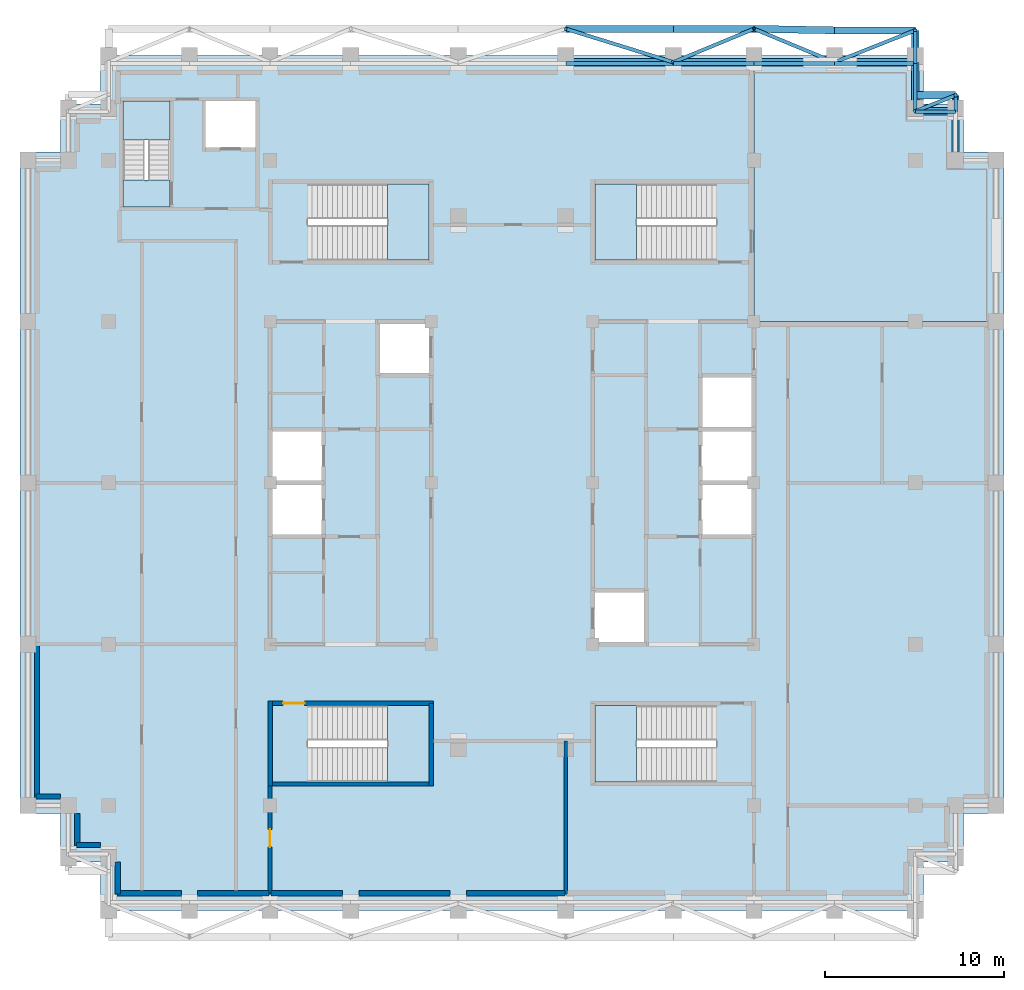
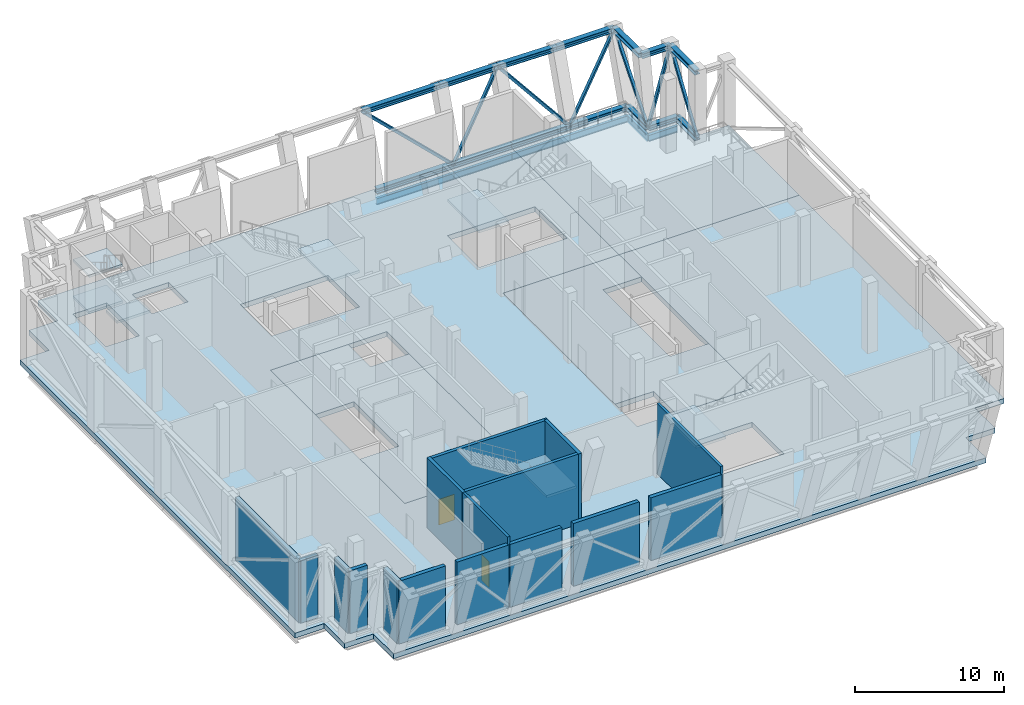
# One storey, part 3 of 9: 21 members, 16 walls, 11 slabs, 6 beams, 2 doors, 2 openings, 5 elements without a shape of their own.
"""IFC4 building model written with IfcOpenShell, lengths in metres."""

import ifcopenshell
import ifcopenshell.guid

model = None  # the IFC model being written
_history = None  # IfcOwnerHistory: only IFC2X3 demands one
_inside = {}  # id of a spatial element -> (the spatial element, [elements in it])
_under = {}  # id of a project, library or spatial element -> (it, [spatial elements below it])
_declared = {}  # id of a project -> (the project, [libraries it declares])
_typed = {}  # id of a type object -> (the type object, [elements of that type])
_made_of = {}  # id of a material, layer set ... -> (it, [elements and type objects made of it])


def new_model(schema):
    """Start an empty IFC model of exactly this schema.

    Asked for "IFC4X3", IfcOpenShell would pick the latest addendum, in which some entities
    have other attributes; the version numbers below select the first issue.
    IFC2X3 requires an IfcOwnerHistory on every rooted entity: one is made here for all.
    """
    global model, _history
    if schema == "IFC4X3":
        model = ifcopenshell.file(schema_version=(4, 3, 0, 0))
    else:
        model = ifcopenshell.file(schema=schema)
    _inside.clear()
    _under.clear()
    _declared.clear()
    _typed.clear()
    _made_of.clear()
    _history = None
    if model.schema == "IFC2X3":
        org = make("IfcOrganization", Name="unknown")
        user = make(
            "IfcPersonAndOrganization",
            ThePerson=make("IfcPerson", FamilyName="unknown"),
            TheOrganization=org,
        )
        app = make(
            "IfcApplication",
            ApplicationDeveloper=org,
            Version="unknown",
            ApplicationFullName="unknown",
            ApplicationIdentifier="unknown",
        )
        _history = make(
            "IfcOwnerHistory",
            OwningUser=user,
            OwningApplication=app,
            ChangeAction="ADDED",
            CreationDate=0,
        )
    return model


def make(cls, **values):
    """One entity of the class cls with the attributes given. An attribute that is None is left unset."""
    return model.create_entity(
        cls, **{name: value for name, value in values.items() if value is not None}
    )


def rooted(cls, **values):
    """An entity with a GlobalId (a new one), such as an element, a storey or a relation."""
    return make(cls, GlobalId=ifcopenshell.guid.new(), OwnerHistory=_history, **values)


def si_unit(unit_type, name, prefix=None):
    """IfcSIUnit, for example si_unit("LENGTHUNIT", "METRE", prefix="MILLI")."""
    return make("IfcSIUnit", UnitType=unit_type, Prefix=prefix, Name=name)


def assignment(units):
    """IfcUnitAssignment: the units of a project."""
    return None if units is None else make("IfcUnitAssignment", Units=units)


def point(xyz):
    """IfcCartesianPoint."""
    return None if xyz is None else make("IfcCartesianPoint", Coordinates=xyz)


def direction(xyz):
    """IfcDirection."""
    return None if xyz is None else make("IfcDirection", DirectionRatios=xyz)


def frame(location, z_axis=None, x_axis=None):
    """IfcAxis2Placement3D, a coordinate frame: its origin and axes. An axis left out is left unset."""
    return make(
        "IfcAxis2Placement3D",
        Location=point(location),
        Axis=direction(z_axis),
        RefDirection=direction(x_axis),
    )


def frame_2d(location, x_axis=None):
    """IfcAxis2Placement2D, a coordinate frame in the plane: its origin and x axis."""
    return make(
        "IfcAxis2Placement2D", Location=point(location), RefDirection=direction(x_axis)
    )


def origin():
    """The frame at (0, 0, 0) with its axes left unset."""
    return frame((0.0, 0.0, 0.0))


def origin_2d():
    """The frame at (0, 0) in the plane with its x axis left unset."""
    return frame_2d((0.0, 0.0))


def place(relative_to, where):
    """IfcLocalPlacement: puts the frame where relative to a parent placement (None: the world)."""
    return make(
        "IfcLocalPlacement", PlacementRelTo=relative_to, RelativePlacement=where
    )


def context(
    kind, dimensions, precision=None, world=None, true_north=None, identifier=None
):
    """IfcGeometricRepresentationContext, for example the 3D "Model" context."""
    return make(
        "IfcGeometricRepresentationContext",
        ContextIdentifier=identifier,
        ContextType=kind,
        CoordinateSpaceDimension=dimensions,
        Precision=precision,
        WorldCoordinateSystem=world,
        TrueNorth=true_north,
    )


def subcontext(parent, identifier, kind, view, scale=None):
    """IfcGeometricRepresentationSubContext, for example "Body" below "Model"."""
    return make(
        "IfcGeometricRepresentationSubContext",
        ContextIdentifier=identifier,
        ContextType=kind,
        ParentContext=parent,
        TargetScale=scale,
        TargetView=view,
    )


def project(units=None, contexts=None):
    """IfcProject with its units and contexts."""
    return rooted(
        "IfcProject",
        Name="project",
        RepresentationContexts=contexts,
        UnitsInContext=assignment(units),
    )


def spatial(cls, under=None, at=None, **own):
    """A site, building, storey or space (cls), placed at a placement, below another one or the project."""
    s = rooted(cls, ObjectPlacement=at, **own)
    if under is not None:
        _under.setdefault(under.id(), (under, []))[1].append(s)
    return s


def polyline(points):
    """IfcPolyline through the points."""
    return make("IfcPolyline", Points=[point(p) for p in points])


def profile(cls, at=None, kind="AREA", **sizes):
    """A parametric profile (cls). Its sizes go by their IFC names, for example OverallWidth=200.0."""
    return make(cls, ProfileType=kind, Position=at, **sizes)


def rectangle(**sizes):
    """IfcRectangleProfileDef."""
    return profile("IfcRectangleProfileDef", **sizes)


def hollow_rectangle(**sizes):
    """IfcRectangleHollowProfileDef."""
    return profile("IfcRectangleHollowProfileDef", **sizes)


def i_section(**sizes):
    """IfcIShapeProfileDef."""
    return profile("IfcIShapeProfileDef", **sizes)


def outline(outer, holes=None, kind="AREA"):
    """IfcArbitraryClosedProfileDef: a profile drawn as a closed curve; with holes, ...WithVoids."""
    if holes is None:
        return make("IfcArbitraryClosedProfileDef", ProfileType=kind, OuterCurve=outer)
    return make(
        "IfcArbitraryProfileDefWithVoids",
        ProfileType=kind,
        OuterCurve=outer,
        InnerCurves=holes,
    )


def extrude(swept, where, along, depth):
    """IfcExtrudedAreaSolid: the profile swept, set in the frame where, extruded along a direction by depth."""
    return make(
        "IfcExtrudedAreaSolid",
        SweptArea=swept,
        Position=where,
        ExtrudedDirection=direction(along),
        Depth=depth,
    )


def shape(context_of_items, identifier, shape_type, items):
    """IfcShapeRepresentation: the items that make up one representation, for example the "Body"."""
    return make(
        "IfcShapeRepresentation",
        ContextOfItems=context_of_items,
        RepresentationIdentifier=identifier,
        RepresentationType=shape_type,
        Items=items,
    )


def material(Name=None, Category=None):
    """IfcMaterial."""
    return make("IfcMaterial", Name=Name, Category=Category)


def layer(
    of_material, thickness, ventilated=None, Name=None, Category=None, Priority=None
):
    """IfcMaterialLayer: one layer of a wall or slab, of a material (None: an air gap)."""
    return make(
        "IfcMaterialLayer",
        Material=of_material,
        LayerThickness=thickness,
        IsVentilated=ventilated,
        Name=Name,
        Category=Category,
        Priority=Priority,
    )


def layer_set(layers, Name=None):
    """IfcMaterialLayerSet."""
    return make("IfcMaterialLayerSet", MaterialLayers=layers, LayerSetName=Name)


def material_profile(
    of_material, cross_section, Name=None, Category=None, Priority=None
):
    """IfcMaterialProfile: a cross section and its material."""
    return make(
        "IfcMaterialProfile",
        Name=Name,
        Material=of_material,
        Profile=cross_section,
        Priority=Priority,
        Category=Category,
    )


def profile_set(profiles, Name=None, composite=None):
    """IfcMaterialProfileSet."""
    return make(
        "IfcMaterialProfileSet",
        Name=Name,
        MaterialProfiles=profiles,
        CompositeProfile=composite,
    )


def made_of(thing, what):
    """Note that an element or type object is made of a material, layer set ...; save() writes the relation."""
    if what is not None:
        _made_of.setdefault(what.id(), (what, []))[1].append(thing)
    return thing


def type_object(cls, material=None, **own):
    """A type object (cls), such as IfcWallType, which elements share."""
    return made_of(rooted(cls, **own), material)


def element(
    cls,
    number,
    at=None,
    inside=None,
    cuts=None,
    type_object=None,
    material=None,
    context=None,
    identifier="Body",
    shape_type=None,
    held_by="IfcProductDefinitionShape",
    body=None,
    shapes=None,
    **own,
):
    """One element of the class cls, such as IfcWall. Its Tag is "e" and its number.

    at: its placement. inside: the storey or other place that contains it. cuts: it is an
    opening in that element (IfcRelVoidsElement). A single representation is given by context,
    identifier, shape_type and body (its items); several are given by shapes. held_by: the class
    of the entity that holds the representations. save() writes the other relations.
    """
    e = rooted(cls, Tag="e%d" % number, ObjectPlacement=at, **own)
    if body is not None:
        shapes = [shape(context, identifier, shape_type, body)]
    if shapes is not None:
        e.Representation = make(held_by, Representations=shapes)
    if inside is not None:
        _inside.setdefault(inside.id(), (inside, []))[1].append(e)
    if cuts is not None:
        rooted(
            "IfcRelVoidsElement", RelatingBuildingElement=cuts, RelatedOpeningElement=e
        )
    if type_object is not None:
        _typed.setdefault(type_object.id(), (type_object, []))[1].append(e)
    return made_of(e, material)


def fill(opening, filler):
    """IfcRelFillsElement: the door or window that sits in an opening."""
    return rooted(
        "IfcRelFillsElement",
        RelatingOpeningElement=opening,
        RelatedBuildingElement=filler,
    )


def aggregate(whole, parts):
    """IfcRelAggregates: a whole, such as a stair, and the parts it consists of."""
    return rooted("IfcRelAggregates", RelatingObject=whole, RelatedObjects=parts)


def save(model, path):
    """Write the relations noted so far, then the file.

    IfcRelAggregates (storeys below a building ...), IfcRelContainedInSpatialStructure (elements
    in a storey), IfcRelDefinesByType, IfcRelAssociatesMaterial and IfcRelDeclares: one each for
    every whole, place, type object, material and project.
    """
    for whole, parts in _under.values():
        aggregate(whole, parts)
    for where, things in _inside.values():
        rooted(
            "IfcRelContainedInSpatialStructure",
            RelatedElements=things,
            RelatingStructure=where,
        )
    for kind, things in _typed.values():
        rooted("IfcRelDefinesByType", RelatedObjects=things, RelatingType=kind)
    for what, things in _made_of.values():
        rooted("IfcRelAssociatesMaterial", RelatedObjects=things, RelatingMaterial=what)
    for by, libraries in _declared.values():
        rooted("IfcRelDeclares", RelatingContext=by, RelatedDefinitions=libraries)
    model.write(path)


model = new_model("IFC4")

# Units and contexts
model_context = context("Model", 3, precision=1e-05, world=origin(), true_north=direction((0.0, 1.0)))
body_context = subcontext(model_context, "Body", "Model", "MODEL_VIEW")
ifc_project = project(units=[si_unit("LENGTHUNIT", "METRE"), si_unit("AREAUNIT", "SQUARE_METRE"), si_unit("VOLUMEUNIT", "CUBIC_METRE"), si_unit("PLANEANGLEUNIT", "RADIAN"), si_unit("MASSUNIT", "GRAM", prefix="KILO")], contexts=[model_context])

# Site, building, storey
site_placement = place(None, origin())
site = spatial("IfcSite", under=ifc_project, at=site_placement, CompositionType="ELEMENT")
building_placement = place(site_placement, origin())
building = spatial("IfcBuilding", under=site, at=building_placement, Name="Corbelhall Arena Tower", CompositionType="ELEMENT")
storey_placement = place(building_placement, frame((0.0, 0.0, 320.0)))
storey = spatial("IfcBuildingStorey", under=building, at=storey_placement, Name="L70", CompositionType="ELEMENT", Elevation=320.0)

# Members
ifc_material_1 = material(Name="Steel ASTM A992 Gr50", Category="steel")
ifc_material_profile_1 = material_profile(ifc_material_1, i_section(OverallWidth=0.398681640625, OverallDepth=0.393798828125, WebThickness=0.022705078125, FlangeThickness=0.03662109375, at=origin_2d()))
ifc_profile_set_1 = profile_set([ifc_material_profile_1], Name="Steel ASTM A992 Gr50")
member_type_1 = type_object("IfcMemberType", Name="ST-CHORD-W14x193", PredefinedType="CHORD", material=ifc_profile_set_1)
for number, where, z_axis, x_axis, name in (
    (1, (3.0, 23.468505859375, 0.19677734375), (1.0, 0.0, 0.0), (0.0, 1.0, 0.0), "Truss chord BC 6"),
    (2, (3.0, 25.331298828125, 5.543212890625), (1.0, 0.0, 0.0), (0.0, 1.0, 0.0), "Truss chord TC 6"),
):
    element("IfcMember", number, at=place(storey_placement, frame(where, z_axis=z_axis, x_axis=x_axis)), inside=storey, type_object=member_type_1, Name=name, PredefinedType="CHORD", context=body_context, shape_type="SweptSolid", body=[
        extrude(i_section(OverallWidth=0.398681640625, OverallDepth=0.393798828125, WebThickness=0.022705078125, FlangeThickness=0.03662109375, at=origin_2d()), origin(), (0.0, 0.0, 1.0), 6.0),
    ])
for number, where, z_axis, x_axis, name in (
    (3, (9.0, 23.468505859375, 0.19677734375), (1.0, 0.0, 0.0), (0.0, 1.0, 0.0), "Truss chord BC 7"),
    (4, (9.0, 25.331298828125, 5.543212890625), (1.0, 0.0, 0.0), (0.0, 1.0, 0.0), "Truss chord TC 7"),
    (5, (13.5, 23.468505859375, 0.19677734375), (0.999999788072, -0.000651041529, 0.0), (0.000651041529, 0.999999788072, 0.0), "Truss chord BC 8"),
):
    element("IfcMember", number, at=place(storey_placement, frame(where, z_axis=z_axis, x_axis=x_axis)), inside=storey, type_object=member_type_1, Name=name, PredefinedType="CHORD", context=body_context, shape_type="SweptSolid", body=[
        extrude(i_section(OverallWidth=0.398681640625, OverallDepth=0.393798828125, WebThickness=0.022705078125, FlangeThickness=0.03662109375, at=origin_2d()), origin(), (0.0, 0.0, 1.0), 4.5),
    ])
member_1_placement = place(storey_placement, frame((13.5, 25.331298828125, 5.543212890625), z_axis=(0.99982790622, -0.018551494354, 0.0), x_axis=(0.018551494354, 0.99982790622, 0.0)))
element("IfcMember", 6, at=member_1_placement, inside=storey, type_object=member_type_1, Name="Truss chord TC 8", PredefinedType="CHORD", context=body_context, shape_type="SweptSolid", body=[
    extrude(i_section(OverallWidth=0.398681640625, OverallDepth=0.393798828125, WebThickness=0.022705078125, FlangeThickness=0.03662109375, at=origin_2d()), origin(), (0.0, 0.0, 1.0), 4.500732421875),
])
for number, where, z_axis, x_axis, name in (
    (7, (18.0, 23.465576171875, 0.19677734375), (1.0, 0.0, 0.0), (0.0, 1.0, 0.0), "Truss chord BC 9"),
    (8, (18.0, 25.247802734375, 5.543212890625), (1.0, 0.0, 0.0), (0.0, 1.0, 0.0), "Truss chord TC 9"),
):
    element("IfcMember", number, at=place(storey_placement, frame(where, z_axis=z_axis, x_axis=x_axis)), inside=storey, type_object=member_type_1, Name=name, PredefinedType="CHORD", context=body_context, shape_type="SweptSolid", body=[
        extrude(i_section(OverallWidth=0.398681640625, OverallDepth=0.393798828125, WebThickness=0.022705078125, FlangeThickness=0.03662109375, at=origin_2d()), origin(), (0.0, 0.0, 1.0), 4.5),
    ])
member_2_placement = place(storey_placement, frame((22.5, 23.465576171875, 0.19677734375), z_axis=(0.0, -1.0, 0.0), x_axis=(1.0, 0.0, 0.0)))
element("IfcMember", 9, at=member_2_placement, inside=storey, type_object=member_type_1, Name="Truss chord BC 10", PredefinedType="CHORD", context=body_context, shape_type="SweptSolid", body=[
    extrude(i_section(OverallWidth=0.398681640625, OverallDepth=0.393798828125, WebThickness=0.022705078125, FlangeThickness=0.03662109375, at=origin_2d()), origin(), (0.0, 0.0, 1.0), 2.732666015625),
])
member_3_placement = place(storey_placement, frame((22.5, 25.247802734375, 5.543212890625), z_axis=(0.0, -1.0, 0.0), x_axis=(1.0, 0.0, 0.0)))
element("IfcMember", 10, at=member_3_placement, inside=storey, type_object=member_type_1, Name="Truss chord TC 10", PredefinedType="CHORD", context=body_context, shape_type="SweptSolid", body=[
    extrude(i_section(OverallWidth=0.398681640625, OverallDepth=0.393798828125, WebThickness=0.022705078125, FlangeThickness=0.03662109375, at=origin_2d()), origin(), (0.0, 0.0, 1.0), 3.6240234375),
])
for number, where, z_axis, x_axis, name in (
    (11, (22.5, 20.73291015625, 0.19677734375), (1.0, 0.0, 0.0), (0.0, 1.0, 0.0), "Truss chord BC 31"),
    (12, (22.5, 21.623779296875, 5.543212890625), (1.0, 0.0, 0.0), (0.0, 1.0, 0.0), "Truss chord TC 31"),
):
    element("IfcMember", number, at=place(storey_placement, frame(where, z_axis=z_axis, x_axis=x_axis)), inside=storey, type_object=member_type_1, Name=name, PredefinedType="CHORD", context=body_context, shape_type="SweptSolid", body=[
        extrude(i_section(OverallWidth=0.398681640625, OverallDepth=0.393798828125, WebThickness=0.022705078125, FlangeThickness=0.03662109375, at=origin_2d()), origin(), (0.0, 0.0, 1.0), 2.25),
    ])
member_4_placement = place(storey_placement, frame((24.75, 20.73291015625, 0.19677734375), z_axis=(0.0, -1.0, 0.0), x_axis=(1.0, 0.0, 0.0)))
element("IfcMember", 13, at=member_4_placement, inside=storey, type_object=member_type_1, Name="Truss chord BC 32", PredefinedType="CHORD", context=body_context, shape_type="SweptSolid", body=[
    extrude(i_section(OverallWidth=0.398681640625, OverallDepth=0.393798828125, WebThickness=0.022705078125, FlangeThickness=0.03662109375, at=origin_2d()), origin(), (0.0, 0.0, 1.0), 2.73291015625),
])
member_5_placement = place(storey_placement, frame((24.75, 21.623779296875, 5.543212890625), z_axis=(0.0, -1.0, 0.0), x_axis=(1.0, 0.0, 0.0)))
element("IfcMember", 14, at=member_5_placement, inside=storey, type_object=member_type_1, Name="Truss chord TC 32", PredefinedType="CHORD", context=body_context, shape_type="SweptSolid", body=[
    extrude(i_section(OverallWidth=0.398681640625, OverallDepth=0.393798828125, WebThickness=0.022705078125, FlangeThickness=0.03662109375, at=origin_2d()), origin(), (0.0, 0.0, 1.0), 3.623779296875),
])

# Beams
ifc_material_profile_2 = material_profile(ifc_material_1, i_section(OverallWidth=0.209228515625, OverallDepth=0.533447265625, WebThickness=0.01025390625, FlangeThickness=0.015625, at=origin_2d()))
ifc_profile_set_2 = profile_set([ifc_material_profile_2], Name="Steel ASTM A992 Gr50")
beam_type = type_object("IfcBeamType", Name="ST-SPANDREL-W21x62", PredefinedType="SPANDREL", material=ifc_profile_set_2)
beam_1_placement = place(storey_placement, frame((3.0, 23.39990234375, -0.6767578125), z_axis=(1.0, 0.0, 0.0), x_axis=(0.0, 1.0, 0.0)))
element("IfcBeam", 15, at=beam_1_placement, inside=storey, type_object=beam_type, Name="Beam SP 6", PredefinedType="SPANDREL", context=body_context, shape_type="SweptSolid", body=[
    extrude(i_section(OverallWidth=0.209228515625, OverallDepth=0.533447265625, WebThickness=0.01025390625, FlangeThickness=0.015625, at=origin_2d()), origin(), (0.0, 0.0, 1.0), 6.0),
])
for number, where, z_axis, x_axis, name in (
    (16, (9.0, 23.39990234375, -0.6767578125), (1.0, 0.0, 0.0), (0.0, 1.0, 0.0), "Beam SP 7"),
    (17, (13.5, 23.39990234375, -0.6767578125), (1.0, 0.0, 0.0), (0.0, 1.0, 0.0), "Beam SP 8"),
    (18, (18.0, 23.39990234375, -0.6767578125), (1.0, 0.0, 0.0), (0.0, 1.0, 0.0), "Beam SP 9"),
):
    element("IfcBeam", number, at=place(storey_placement, frame(where, z_axis=z_axis, x_axis=x_axis)), inside=storey, type_object=beam_type, Name=name, PredefinedType="SPANDREL", context=body_context, shape_type="SweptSolid", body=[
        extrude(i_section(OverallWidth=0.209228515625, OverallDepth=0.533447265625, WebThickness=0.01025390625, FlangeThickness=0.015625, at=origin_2d()), origin(), (0.0, 0.0, 1.0), 4.5),
    ])
beam_2_placement = place(storey_placement, frame((22.5, 23.39990234375, -0.6767578125), z_axis=(0.0, -1.0, 0.0), x_axis=(1.0, 0.0, 0.0)))
element("IfcBeam", 19, at=beam_2_placement, inside=storey, type_object=beam_type, Name="Beam SP 10", PredefinedType="SPANDREL", context=body_context, shape_type="SweptSolid", body=[
    extrude(i_section(OverallWidth=0.209228515625, OverallDepth=0.533447265625, WebThickness=0.01025390625, FlangeThickness=0.015625, at=origin_2d()), origin(), (0.0, 0.0, 1.0), 2.699951171875),
])
beam_3_placement = place(storey_placement, frame((22.5, 20.699951171875, -0.6767578125), z_axis=(1.0, 0.0, 0.0), x_axis=(0.0, 1.0, 0.0)))
element("IfcBeam", 20, at=beam_3_placement, inside=storey, type_object=beam_type, Name="Beam SP 31", PredefinedType="SPANDREL", context=body_context, shape_type="SweptSolid", body=[
    extrude(i_section(OverallWidth=0.209228515625, OverallDepth=0.533447265625, WebThickness=0.01025390625, FlangeThickness=0.015625, at=origin_2d()), origin(), (0.0, 0.0, 1.0), 2.25),
])

# Members
ifc_material_2 = material(Name="Steel ASTM A500 Gr C", Category="steel")
ifc_material_profile_3 = material_profile(ifc_material_2, hollow_rectangle(XDim=0.203125, YDim=0.203125, WallThickness=0.0087890625, at=origin_2d()))
ifc_profile_set_3 = profile_set([ifc_material_profile_3], Name="Steel ASTM A500 Gr C")
member_type_2 = type_object("IfcMemberType", Name="ST-STRUT-HSS8x8x3/8", PredefinedType="STRUT", material=ifc_profile_set_3)
member_6_placement = place(storey_placement, frame((9.0, 23.468505859375, 0.19677734375), z_axis=(-0.72731616343, 0.225806572549, 0.64809149833), x_axis=(-0.296504329853, -0.955031508579, 0.0)))
element("IfcMember", 21, at=member_6_placement, inside=storey, type_object=member_type_2, Name="Truss diagonal 6", PredefinedType="STRUT", context=body_context, shape_type="SweptSolid", body=[
    extrude(hollow_rectangle(XDim=0.203125, YDim=0.203125, WallThickness=0.0087890625, at=origin_2d()), origin(), (0.0, 0.0, 1.0), 8.24951171875),
])
member_7_placement = place(storey_placement, frame((9.0, 23.468505859375, 0.19677734375), z_axis=(0.622219364782, 0.257570190608, 0.73925682885), x_axis=(-0.382478712885, 0.923964303526, 0.0)))
element("IfcMember", 22, at=member_7_placement, inside=storey, type_object=member_type_2, Name="Truss diagonal 7", PredefinedType="STRUT", context=body_context, shape_type="SweptSolid", body=[
    extrude(hollow_rectangle(XDim=0.203125, YDim=0.203125, WallThickness=0.0087890625, at=origin_2d()), origin(), (0.0, 0.0, 1.0), 7.232177734375),
])
member_8_placement = place(storey_placement, frame((18.0, 23.465576171875, 0.19677734375), z_axis=(-0.622154401973, 0.257948347433, 0.739179646745), x_axis=(-0.382992075733, -0.923751627834, 0.0)))
element("IfcMember", 23, at=member_8_placement, inside=storey, type_object=member_type_2, Name="Truss diagonal 8", PredefinedType="STRUT", context=body_context, shape_type="SweptSolid", body=[
    extrude(hollow_rectangle(XDim=0.203125, YDim=0.203125, WallThickness=0.0087890625, at=origin_2d()), origin(), (0.0, 0.0, 1.0), 7.23291015625),
])
member_9_placement = place(storey_placement, frame((18.0, 23.465576171875, 0.19677734375), z_axis=(0.623973499324, 0.247124921065, 0.741340910466), x_axis=(-0.368222879343, 0.929737549596, 0.0)))
element("IfcMember", 24, at=member_9_placement, inside=storey, type_object=member_type_2, Name="Truss diagonal 9", PredefinedType="STRUT", context=body_context, shape_type="SweptSolid", body=[
    extrude(hollow_rectangle(XDim=0.203125, YDim=0.203125, WallThickness=0.0087890625, at=origin_2d()), origin(), (0.0, 0.0, 1.0), 7.2119140625),
])
member_10_placement = place(storey_placement, frame((22.5, 20.73291015625, 0.19677734375), z_axis=(0.0, 0.645191226961, 0.764021125789), x_axis=(-1.0, 0.0, 0.0)))
element("IfcMember", 25, at=member_10_placement, inside=storey, type_object=member_type_2, Name="Truss diagonal 10", PredefinedType="STRUT", context=body_context, shape_type="SweptSolid", body=[
    extrude(hollow_rectangle(XDim=0.203125, YDim=0.203125, WallThickness=0.0087890625, at=origin_2d()), origin(), (0.0, 0.0, 1.0), 6.997802734375),
])
member_11_placement = place(storey_placement, frame((22.5, 20.73291015625, 0.19677734375), z_axis=(0.383396075035, 0.151802547505, 0.911023290711), x_axis=(-0.368135670034, 0.929772084141, 0.0)))
element("IfcMember", 26, at=member_11_placement, inside=storey, type_object=member_type_2, Name="Truss diagonal 31", PredefinedType="STRUT", context=body_context, shape_type="SweptSolid", body=[
    extrude(hollow_rectangle(XDim=0.203125, YDim=0.203125, WallThickness=0.0087890625, at=origin_2d()), origin(), (0.0, 0.0, 1.0), 5.86865234375),
])
member_12_placement = place(storey_placement, frame((24.75, 18.0, 0.19677734375), z_axis=(0.0, 0.561060419569, 0.827774851994), x_axis=(-1.0, 0.0, 0.0)))
element("IfcMember", 27, at=member_12_placement, inside=storey, type_object=member_type_2, Name="Truss diagonal 32", PredefinedType="STRUT", context=body_context, shape_type="SweptSolid", body=[
    extrude(hollow_rectangle(XDim=0.203125, YDim=0.203125, WallThickness=0.0087890625, at=origin_2d()), origin(), (0.0, 0.0, 1.0), 6.458740234375),
])

# Slabs
ifc_material_3 = material(Name="Concrete C40/50", Category="concrete")
ifc_layer_1 = layer(ifc_material_3, 0.300048828125)
ifc_layer_set_1 = layer_set([ifc_layer_1], Name="IN-SL-CORE")
slab_type_1 = type_object("IfcSlabType", Name="IN-SL-CORE", PredefinedType="FLOOR", material=ifc_layer_set_1)
slab_1_placement = place(storey_placement, frame((0.0, 0.0, -0.409912109375)))
element("IfcSlab", 28, at=slab_1_placement, inside=storey, type_object=slab_type_1, Name="Core floor W", PredefinedType="FLOOR", context=body_context, shape_type="SweptSolid", body=[
    extrude(outline(polyline([(-13.5, -3.0), (-13.5, -9.0), (-4.5, -9.0), (-4.5, 6.0), (-7.5, 6.0), (-7.5, 9.0), (-13.5, 9.0), (-13.5, 3.0), (-10.5, 3.0), (-10.5, 0.0), (-10.5, -3.0), (-13.5, -3.0)])), origin(), (0.0, 0.0, 1.0), 0.409912109375),
])
slab_2_placement = place(storey_placement, frame((0.0, 0.0, -0.409912109375)))
element("IfcSlab", 29, at=slab_2_placement, inside=storey, type_object=slab_type_1, Name="Core floor E", PredefinedType="FLOOR", context=body_context, shape_type="SweptSolid", body=[
    extrude(outline(polyline([(10.5, 0.0), (10.5, 3.0), (10.5, 6.0), (13.5, 6.0), (13.5, 9.0), (4.5, 9.0), (4.5, -6.0), (7.5, -6.0), (7.5, -9.0), (13.5, -9.0), (13.5, -3.0), (10.5, -3.0), (10.5, 0.0)])), origin(), (0.0, 0.0, 1.0), 0.409912109375),
])

# Stair, slab
stair_type = type_object("IfcStairType", Name="IN-ST-TOWER", PredefinedType="HALF_TURN_STAIR", material=ifc_material_3)
stair_1_placement = place(storey_placement, origin())
stair_1 = element("IfcStair", 30, at=stair_1_placement, inside=storey, type_object=stair_type, Name="L70 Exit stair ST1", PredefinedType="HALF_TURN_STAIR")
ifc_layer_2 = layer(ifc_material_3, 0.199951171875)
ifc_layer_set_2 = layer_set([ifc_layer_2], Name="IN-SL-LANDING")
slab_type_2 = type_object("IfcSlabType", Name="IN-SL-LANDING", PredefinedType="LANDING", material=ifc_layer_set_2)
slab_3_placement = place(storey_placement, frame((0.0, 0.0, 2.800048828125)))
slab_3 = element("IfcSlab", 31, at=slab_3_placement, type_object=slab_type_2, Name="ST1 landing 1", PredefinedType="LANDING", context=body_context, shape_type="SweptSolid", body=[
    extrude(outline(polyline([(-6.945068359375, 12.425048828125), (-4.625, 12.425048828125), (-4.625, 16.675048828125), (-6.945068359375, 16.675048828125), (-6.945068359375, 12.425048828125)])), origin(), (0.0, 0.0, 1.0), 0.199951171875),
])
aggregate(stair_1, [slab_3])

stair_2_placement = place(storey_placement, origin())
stair_2 = element("IfcStair", 32, at=stair_2_placement, inside=storey, type_object=stair_type, Name="L70 Exit stair ST2", PredefinedType="HALF_TURN_STAIR")
slab_4_placement = place(storey_placement, frame((0.0, 0.0, 2.800048828125)))
slab_4 = element("IfcSlab", 33, at=slab_4_placement, type_object=slab_type_2, Name="ST2 landing 1", PredefinedType="LANDING", context=body_context, shape_type="SweptSolid", body=[
    extrude(outline(polyline([(-6.945068359375, -16.675048828125), (-4.625, -16.675048828125), (-4.625, -12.425048828125), (-6.945068359375, -12.425048828125), (-6.945068359375, -16.675048828125)])), origin(), (0.0, 0.0, 1.0), 0.199951171875),
])
aggregate(stair_2, [slab_4])

stair_3_placement = place(storey_placement, origin())
stair_3 = element("IfcStair", 34, at=stair_3_placement, inside=storey, type_object=stair_type, Name="L70 Exit stair ST3", PredefinedType="HALF_TURN_STAIR")
slab_5_placement = place(storey_placement, frame((0.0, 0.0, 2.800048828125)))
slab_5 = element("IfcSlab", 35, at=slab_5_placement, type_object=slab_type_2, Name="ST3 landing 1", PredefinedType="LANDING", context=body_context, shape_type="SweptSolid", body=[
    extrude(outline(polyline([(6.945068359375, 16.675048828125), (4.625, 16.675048828125), (4.625, 12.425048828125), (6.945068359375, 12.425048828125), (6.945068359375, 16.675048828125)])), origin(), (0.0, 0.0, 1.0), 0.199951171875),
])
aggregate(stair_3, [slab_5])

stair_4_placement = place(storey_placement, origin())
stair_4 = element("IfcStair", 36, at=stair_4_placement, inside=storey, type_object=stair_type, Name="L70 Exit stair ST4", PredefinedType="HALF_TURN_STAIR")
slab_6_placement = place(storey_placement, frame((0.0, 0.0, 2.800048828125)))
slab_6 = element("IfcSlab", 37, at=slab_6_placement, type_object=slab_type_2, Name="ST4 landing 1", PredefinedType="LANDING", context=body_context, shape_type="SweptSolid", body=[
    extrude(outline(polyline([(6.945068359375, -12.425048828125), (4.625, -12.425048828125), (4.625, -16.675048828125), (6.945068359375, -16.675048828125), (6.945068359375, -12.425048828125)])), origin(), (0.0, 0.0, 1.0), 0.199951171875),
])
aggregate(stair_4, [slab_6])

# Stair, slabs
stair_5_placement = place(storey_placement, origin())
stair_5 = element("IfcStair", 38, at=stair_5_placement, inside=storey, type_object=stair_type, Name="L70 Exit stair ST5", PredefinedType="HALF_TURN_STAIR")
slab_7_placement = place(storey_placement, frame((0.0, 0.0, 1.300048828125)))
slab_7 = element("IfcSlab", 39, at=slab_7_placement, type_object=slab_type_2, Name="ST5 landing 1", PredefinedType="LANDING", context=body_context, shape_type="SweptSolid", body=[
    extrude(outline(polyline([(-19.094970703125, 19.139892578125), (-19.094970703125, 21.300048828125), (-21.695068359375, 21.300048828125), (-21.695068359375, 19.139892578125), (-19.094970703125, 19.139892578125)])), origin(), (0.0, 0.0, 1.0), 0.199951171875),
])
slab_8_placement = place(storey_placement, frame((0.0, 0.0, 2.800048828125)))
slab_8 = element("IfcSlab", 40, at=slab_8_placement, type_object=slab_type_2, Name="ST5 landing 2", PredefinedType="LANDING", context=body_context, shape_type="SweptSolid", body=[
    extrude(outline(polyline([(-19.094970703125, 15.39990234375), (-19.094970703125, 16.89990234375), (-21.695068359375, 16.89990234375), (-21.695068359375, 15.39990234375), (-19.094970703125, 15.39990234375)])), origin(), (0.0, 0.0, 1.0), 0.199951171875),
])
slab_9_placement = place(storey_placement, frame((0.0, 0.0, 4.300048828125)))
slab_9 = element("IfcSlab", 41, at=slab_9_placement, type_object=slab_type_2, Name="ST5 landing 3", PredefinedType="LANDING", context=body_context, shape_type="SweptSolid", body=[
    extrude(outline(polyline([(-19.094970703125, 19.139892578125), (-19.094970703125, 21.300048828125), (-21.695068359375, 21.300048828125), (-21.695068359375, 19.139892578125), (-19.094970703125, 19.139892578125)])), origin(), (0.0, 0.0, 1.0), 0.199951171875),
])
aggregate(stair_5, [slab_7, slab_8, slab_9])

# Slabs
ifc_layer_3 = layer(ifc_material_3, 0.409912109375)
ifc_layer_set_3 = layer_set([ifc_layer_3], Name="ST-SLAB-FLOOR-410")
slab_type_3 = type_object("IfcSlabType", Name="ST-SLAB-FLOOR-410", PredefinedType="FLOOR", material=ifc_layer_set_3)
slab_10_placement = place(storey_placement, frame((0.0, 0.0, -0.409912109375)))
element("IfcSlab", 42, at=slab_10_placement, inside=storey, type_object=slab_type_3, Name="Floor slab L70 1", PredefinedType="FLOOR", context=body_context, shape_type="SweptSolid", body=[
    extrude(outline(polyline([(25.199951171875, -18.449951171875), (27.449951171875, -18.449951171875), (27.449951171875, 9.0), (13.5, 9.0), (13.5, 23.85009765625), (-22.949951171875, 23.85009765625), (-22.949951171875, 21.14990234375), (-25.199951171875, 21.14990234375), (-25.199951171875, 18.449951171875), (-27.449951171875, 18.449951171875), (-27.449951171875, -18.449951171875), (-25.199951171875, -18.449951171875), (-25.199951171875, -21.14990234375), (-22.949951171875, -21.14990234375), (-22.949951171875, -23.85009765625), (22.949951171875, -23.85009765625), (22.949951171875, -21.14990234375), (25.199951171875, -21.14990234375), (25.199951171875, -18.449951171875)]), holes=[polyline([(4.501220703125, 8.997314453125), (4.501220703125, -8.997314453125), (13.498779296875, -8.997314453125), (13.498779296875, 8.997314453125), (4.501220703125, 8.997314453125)]), polyline([(-13.5, 9.0), (-13.5, -9.0), (-4.5, -9.0), (-4.5, 9.0), (-13.5, 9.0)]), polyline([(-4.625, 16.675048828125), (-11.422119140625, 16.675048828125), (-11.422119140625, 12.425048828125), (-4.625, 12.425048828125), (-4.625, 16.675048828125)]), polyline([(-4.625, -16.675048828125), (-4.625, -12.425048828125), (-11.422119140625, -12.425048828125), (-11.422119140625, -16.675048828125), (-4.625, -16.675048828125)]), polyline([(11.422119140625, 16.675048828125), (4.625, 16.675048828125), (4.625, 12.425048828125), (11.422119140625, 12.425048828125), (11.422119140625, 16.675048828125)]), polyline([(11.422119140625, -16.675048828125), (11.422119140625, -12.425048828125), (4.625, -12.425048828125), (4.625, -16.675048828125), (11.422119140625, -16.675048828125)]), polyline([(-21.695068359375, 21.300048828125), (-21.695068359375, 16.903076171875), (-19.094970703125, 16.903076171875), (-19.094970703125, 21.300048828125), (-21.695068359375, 21.300048828125)]), polyline([(-14.300048828125, 21.300048828125), (-17.10009765625, 21.300048828125), (-17.10009765625, 18.699951171875), (-14.300048828125, 18.699951171875), (-14.300048828125, 21.300048828125)])]), origin(), (0.0, 0.0, 1.0), 0.409912109375),
])
slab_11_placement = place(storey_placement, frame((0.0, 0.0, -0.409912109375)))
element("IfcSlab", 43, at=slab_11_placement, inside=storey, type_object=slab_type_3, Name="Terrace slab T-L70-NE", PredefinedType="FLOOR", context=body_context, shape_type="SweptSolid", body=[
    extrude(outline(polyline([(13.5, 9.0), (27.449951171875, 9.0), (27.449951171875, 18.449951171875), (25.199951171875, 18.449951171875), (25.199951171875, 21.14990234375), (22.949951171875, 21.14990234375), (22.949951171875, 23.85009765625), (13.5, 23.85009765625), (13.5, 9.0)])), origin(), (0.0, 0.0, 1.0), 0.409912109375),
])

# Walls
ifc_material_4 = material(Name="Precast concrete C40/50 with granite facing", Category="masonry")
ifc_layer_4 = layer(ifc_material_4, 0.300048828125)
ifc_layer_set_4 = layer_set([ifc_layer_4], Name="EV-IW1 Infill panel 300")
wall_type_1 = type_object("IfcWallType", Name="EV-IW1 Infill panel 300", PredefinedType="SOLIDWALL", material=ifc_layer_set_4)
wall_1_placement = place(storey_placement, frame((-26.5, -9.050048828125, 0.0), z_axis=(0.0, 0.0, 1.0), x_axis=(0.0, -1.0, 0.0)))
element("IfcWall", 44, at=wall_1_placement, inside=storey, type_object=wall_type_1, Name="Infill panel IW1", PredefinedType="SOLIDWALL", context=body_context, shape_type="SweptSolid", body=[
    extrude(rectangle(XDim=8.5, YDim=0.300048828125, at=frame_2d((4.25, 0.0))), origin(), (0.0, 0.0, 1.0), 5.139892578125),
])
wall_2_placement = place(storey_placement, frame((-26.550048828125, -17.5, 0.0), z_axis=(0.0, 0.0, 1.0), x_axis=(1.0, 0.0, 0.0)))
element("IfcWall", 45, at=wall_2_placement, inside=storey, type_object=wall_type_1, Name="Infill panel IW1", PredefinedType="SOLIDWALL", context=body_context, shape_type="SweptSolid", body=[
    extrude(rectangle(XDim=1.35009765625, YDim=0.300048828125, at=frame_2d((0.675048828125, 0.0))), origin(), (0.0, 0.0, 1.0), 5.139892578125),
])
wall_3_placement = place(storey_placement, frame((-24.25, -18.449951171875, 0.0), z_axis=(0.0, 0.0, 1.0), x_axis=(0.0, -1.0, 0.0)))
element("IfcWall", 46, at=wall_3_placement, inside=storey, type_object=wall_type_1, Name="Infill panel IW1", PredefinedType="SOLIDWALL", context=body_context, shape_type="SweptSolid", body=[
    extrude(rectangle(XDim=1.800048828125, YDim=0.300048828125, at=frame_2d((0.89990234375, 0.0))), origin(), (0.0, 0.0, 1.0), 5.139892578125),
])
wall_4_placement = place(storey_placement, frame((-24.300048828125, -20.199951171875, 0.0), z_axis=(0.0, 0.0, 1.0), x_axis=(1.0, 0.0, 0.0)))
element("IfcWall", 47, at=wall_4_placement, inside=storey, type_object=wall_type_1, Name="Infill panel IW1", PredefinedType="SOLIDWALL", context=body_context, shape_type="SweptSolid", body=[
    extrude(rectangle(XDim=1.35009765625, YDim=0.300048828125, at=frame_2d((0.675048828125, 0.0))), origin(), (0.0, 0.0, 1.0), 5.139892578125),
])
wall_5_placement = place(storey_placement, frame((-22.0, -21.14990234375, 0.0), z_axis=(0.0, 0.0, 1.0), x_axis=(0.0, -1.0, 0.0)))
element("IfcWall", 48, at=wall_5_placement, inside=storey, type_object=wall_type_1, Name="Infill panel IW1", PredefinedType="SOLIDWALL", context=body_context, shape_type="SweptSolid", body=[
    extrude(rectangle(XDim=1.800048828125, YDim=0.300048828125, at=frame_2d((0.89990234375, 0.0))), origin(), (0.0, 0.0, 1.0), 5.139892578125),
])
wall_6_placement = place(storey_placement, frame((-22.050048828125, -22.89990234375, 0.0), z_axis=(0.0, 0.0, 1.0), x_axis=(1.0, 0.0, 0.0)))
element("IfcWall", 49, at=wall_6_placement, inside=storey, type_object=wall_type_1, Name="Infill panel IW1", PredefinedType="SOLIDWALL", context=body_context, shape_type="SweptSolid", body=[
    extrude(rectangle(XDim=3.60009765625, YDim=0.300048828125, at=frame_2d((1.800048828125, 0.0))), origin(), (0.0, 0.0, 1.0), 5.139892578125),
])
for number, where, z_axis, x_axis, name in (
    (50, (-17.550048828125, -22.89990234375, 0.0), (0.0, 0.0, 1.0), (1.0, 0.0, 0.0), "Infill panel IW1"),
    (51, (-13.449951171875, -22.89990234375, 0.0), (0.0, 0.0, 1.0), (1.0, 0.0, 0.0), "Infill panel IW1"),
):
    element("IfcWall", number, at=place(storey_placement, frame(where, z_axis=z_axis, x_axis=x_axis)), inside=storey, type_object=wall_type_1, Name=name, PredefinedType="SOLIDWALL", context=body_context, shape_type="SweptSolid", body=[
        extrude(rectangle(XDim=4.0, YDim=0.300048828125, at=frame_2d((2.0, 0.0))), origin(), (0.0, 0.0, 1.0), 5.139892578125),
    ])
wall_7_placement = place(storey_placement, frame((-8.550048828125, -22.89990234375, 0.0), z_axis=(0.0, 0.0, 1.0), x_axis=(1.0, 0.0, 0.0)))
element("IfcWall", 52, at=wall_7_placement, inside=storey, type_object=wall_type_1, Name="Infill panel IW1", PredefinedType="SOLIDWALL", context=body_context, shape_type="SweptSolid", body=[
    extrude(rectangle(XDim=5.10009765625, YDim=0.300048828125, at=frame_2d((2.550048828125, 0.0))), origin(), (0.0, 0.0, 1.0), 5.139892578125),
])
wall_8_placement = place(storey_placement, frame((-2.550048828125, -22.89990234375, 0.0), z_axis=(0.0, 0.0, 1.0), x_axis=(1.0, 0.0, 0.0)))
element("IfcWall", 53, at=wall_8_placement, inside=storey, type_object=wall_type_1, Name="Infill panel IW1", PredefinedType="SOLIDWALL", context=body_context, shape_type="SweptSolid", body=[
    extrude(rectangle(XDim=5.5, YDim=0.300048828125, at=frame_2d((2.75, 0.0))), origin(), (0.0, 0.0, 1.0), 5.139892578125),
])

# Wall, opening, door
ifc_material_5 = material(Name="Gypsum board on steel stud, acoustic", Category="steel")
ifc_layer_5 = layer(ifc_material_5, 0.199951171875)
ifc_layer_set_5 = layer_set([ifc_layer_5], Name="IN-W-DM200")
wall_type_2 = type_object("IfcWallType", Name="IN-W-DM200", PredefinedType="PARTITIONING", material=ifc_layer_set_5)
wall_9_placement = place(storey_placement, frame((-13.5, -16.675048828125, 0.0), z_axis=(0.0, 0.0, 1.0), x_axis=(0.0, -1.0, 0.0)))
wall_9 = element("IfcWall", 54, at=wall_9_placement, inside=storey, type_object=wall_type_2, Name="Partition 010", PredefinedType="PARTITIONING", context=body_context, shape_type="SweptSolid", body=[
    extrude(rectangle(XDim=6.27490234375, YDim=0.199951171875, at=frame_2d((3.137451171875, 0.0))), origin(), (0.0, 0.0, 1.0), 5.739990234375),
])
opening_1_placement = place(wall_9_placement, frame((2.64990234375, 0.0, 0.0)))
opening_1 = element("IfcOpeningElement", 55, at=opening_1_placement, cuts=wall_9, Name="Opening 30019", PredefinedType="OPENING", context=body_context, shape_type="SweptSolid", body=[
    extrude(rectangle(XDim=1.0, YDim=2.10009765625, at=frame_2d((0.5, 1.050048828125))), frame((0.0, 0.10009765625, 0.0), z_axis=(0.0, -1.0, 0.0), x_axis=(1.0, 0.0, 0.0)), (0.0, 0.0, 1.0), 0.199951171875),
])
ifc_material_6 = material(Name="Steel door set", Category="steel")
door_type_1 = type_object("IfcDoorType", Name="IN-D-SW100", OperationType="NOTDEFINED", PredefinedType="DOOR", material=ifc_material_6)
door_1_placement = place(opening_1_placement, origin())
door_1 = element("IfcDoor", 56, at=door_1_placement, inside=storey, type_object=door_type_1, Name="Door 019", OperationType="SINGLE_SWING_RIGHT", OverallHeight=2.10009765625, OverallWidth=1.0, PredefinedType="DOOR", context=body_context, shape_type="SweptSolid", body=[
    extrude(rectangle(XDim=1.0, YDim=2.10009765625, at=frame_2d((0.5, 1.050048828125))), frame((0.0, 0.02490234375, 0.0), z_axis=(0.0, -1.0, 0.0), x_axis=(1.0, 0.0, 0.0)), (0.0, 0.0, 1.0), 0.050048828125),
])
fill(opening_1, door_1)

# Walls
wall_10_placement = place(storey_placement, frame((3.0, -14.39990234375, 0.0), z_axis=(0.0, 0.0, 1.0), x_axis=(0.0, -1.0, 0.0)))
element("IfcWall", 57, at=wall_10_placement, inside=storey, type_object=wall_type_2, Name="Partition 013", PredefinedType="PARTITIONING", context=body_context, shape_type="SweptSolid", body=[
    extrude(rectangle(XDim=8.550048828125, YDim=0.199951171875, at=frame_2d((4.27490234375, 0.0))), origin(), (0.0, 0.0, 1.0), 5.739990234375),
])
ifc_layer_6 = layer(ifc_material_3, 0.25)
ifc_layer_set_6 = layer_set([ifc_layer_6], Name="IN-W-ST250")
wall_type_3 = type_object("IfcWallType", Name="IN-W-ST250", PredefinedType="SOLIDWALL", material=ifc_layer_set_6)
wall_11_placement = place(storey_placement, frame((-13.5, -12.175048828125, 0.0), z_axis=(0.0, 0.0, 1.0), x_axis=(0.0, -1.0, 0.0)))
element("IfcWall", 58, at=wall_11_placement, inside=storey, type_object=wall_type_3, Name="Shaft wall 058", PredefinedType="SOLIDWALL", context=body_context, shape_type="SweptSolid", body=[
    extrude(rectangle(XDim=4.75, YDim=0.25, at=frame_2d((2.375, 0.0))), origin(), (0.0, 0.0, 1.0), 5.739990234375),
])
wall_12_placement = place(storey_placement, frame((-4.5, -16.800048828125, 0.0), z_axis=(0.0, 0.0, 1.0), x_axis=(-1.0, 0.0, 0.0)))
element("IfcWall", 59, at=wall_12_placement, inside=storey, type_object=wall_type_3, Name="Shaft wall 062", PredefinedType="SOLIDWALL", context=body_context, shape_type="SweptSolid", body=[
    extrude(rectangle(XDim=9.0, YDim=0.25, at=frame_2d((4.5, 0.0))), origin(), (0.0, 0.0, 1.0), 5.739990234375),
])
wall_13_placement = place(storey_placement, frame((-4.5, -12.300048828125, 0.0), z_axis=(0.0, 0.0, 1.0), x_axis=(0.0, -1.0, 0.0)))
element("IfcWall", 60, at=wall_13_placement, inside=storey, type_object=wall_type_3, Name="Shaft wall 063", PredefinedType="SOLIDWALL", context=body_context, shape_type="SweptSolid", body=[
    extrude(rectangle(XDim=4.625, YDim=0.25, at=frame_2d((2.3125, 0.0))), origin(), (0.0, 0.0, 1.0), 5.739990234375),
])

# Wall, opening, door
wall_14_placement = place(storey_placement, frame((-4.375, -12.300048828125, 0.0), z_axis=(0.0, 0.0, 1.0), x_axis=(-1.0, 0.0, 0.0)))
wall_14 = element("IfcWall", 61, at=wall_14_placement, inside=storey, type_object=wall_type_3, Name="Shaft wall 065", PredefinedType="SOLIDWALL", context=body_context, shape_type="SweptSolid", body=[
    extrude(rectangle(XDim=9.125, YDim=0.25, at=frame_2d((4.5625, 0.0))), origin(), (0.0, 0.0, 1.0), 5.739990234375),
])
opening_2_placement = place(wall_14_placement, frame((7.199951171875, 0.0, 0.0)))
opening_2 = element("IfcOpeningElement", 62, at=opening_2_placement, cuts=wall_14, Name="Opening 30016", PredefinedType="OPENING", context=body_context, shape_type="SweptSolid", body=[
    extrude(rectangle(XDim=1.199951171875, YDim=2.10009765625, at=frame_2d((0.60009765625, 1.050048828125))), frame((0.0, 0.125, 0.0), z_axis=(0.0, -1.0, 0.0), x_axis=(1.0, 0.0, 0.0)), (0.0, 0.0, 1.0), 0.25),
])
door_type_2 = type_object("IfcDoorType", Name="IN-D-ST120", OperationType="NOTDEFINED", PredefinedType="DOOR", material=ifc_material_6)
door_2_placement = place(opening_2_placement, origin())
door_2 = element("IfcDoor", 63, at=door_2_placement, inside=storey, type_object=door_type_2, Name="Door 016", OperationType="SINGLE_SWING_LEFT", OverallHeight=2.10009765625, OverallWidth=1.199951171875, PredefinedType="DOOR", context=body_context, shape_type="SweptSolid", body=[
    extrude(rectangle(XDim=1.199951171875, YDim=2.10009765625, at=frame_2d((0.60009765625, 1.050048828125))), frame((0.0, 0.02490234375, 0.0), z_axis=(0.0, -1.0, 0.0), x_axis=(1.0, 0.0, 0.0)), (0.0, 0.0, 1.0), 0.050048828125),
])
fill(opening_2, door_2)

save(model, "model.ifc")
